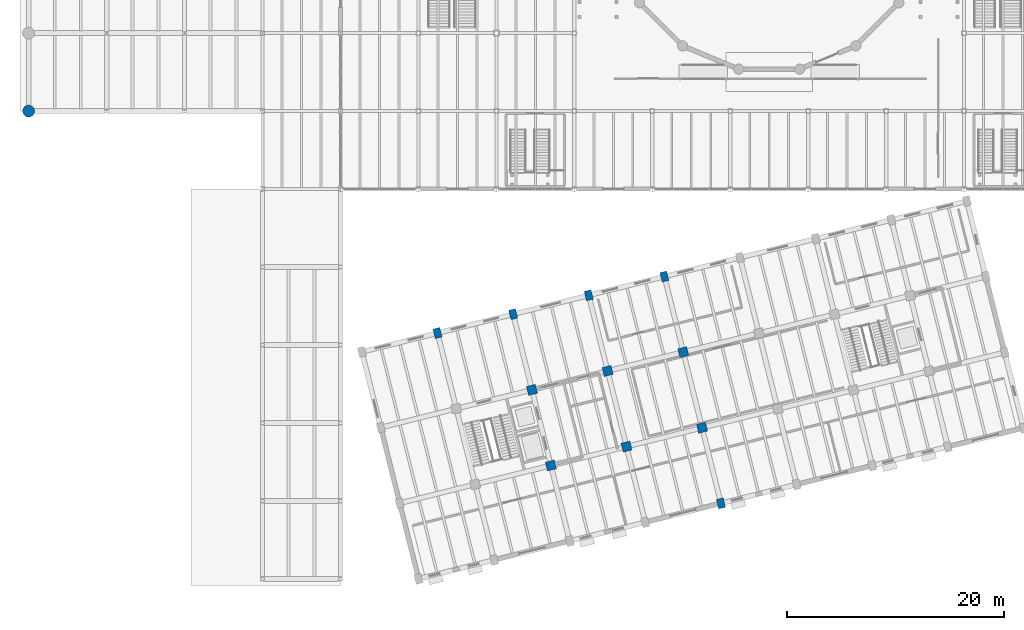
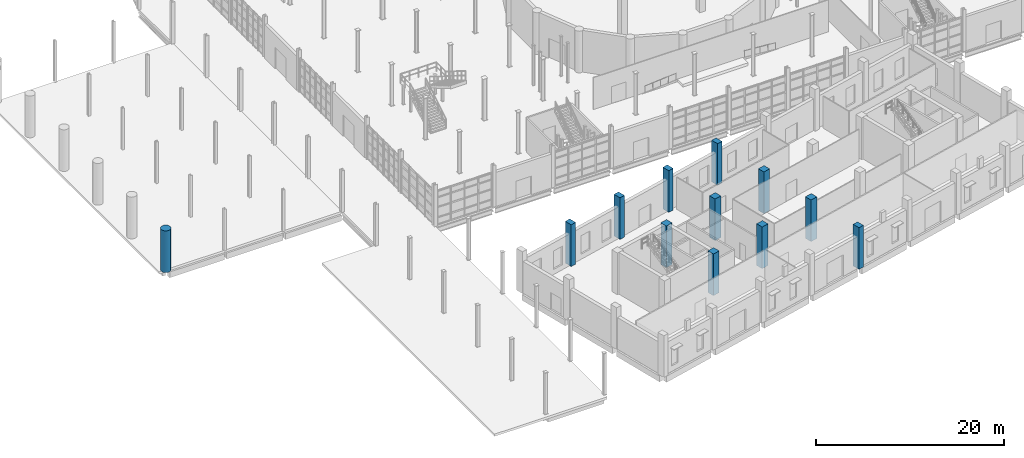
# One storey, part 2 of 79: 12 columns.
"""IFC4 building model written with IfcOpenShell, lengths in metres."""

from ifc_helpers import new_model, si_unit, direction, frame, origin, origin_2d, place, context, subcontext, project, spatial, rectangle, circle, extrude, material, material_profile, profile_set, type_object, element, save


model = new_model("IFC4")

# Units and contexts
model_context = context("Model", 3, precision=1e-05, world=origin(), true_north=direction((0.0, 1.0)))
body_context = subcontext(model_context, "Body", "Model", "MODEL_VIEW")
ifc_project = project(units=[si_unit("LENGTHUNIT", "METRE"), si_unit("AREAUNIT", "SQUARE_METRE"), si_unit("VOLUMEUNIT", "CUBIC_METRE"), si_unit("PLANEANGLEUNIT", "RADIAN"), si_unit("MASSUNIT", "GRAM", prefix="KILO")], contexts=[model_context])

# Site, building, storey
site_placement = place(None, origin())
site = spatial("IfcSite", under=ifc_project, at=site_placement, CompositionType="ELEMENT")
building_placement = place(site_placement, origin())
building = spatial("IfcBuilding", under=site, at=building_placement, Name="Qiaolan Assembly House", CompositionType="ELEMENT")
storey_placement = place(building_placement, origin())
storey = spatial("IfcBuildingStorey", under=building, at=storey_placement, Name="L00", CompositionType="ELEMENT", Elevation=0.0)

# Columns
ifc_material_1 = material(Name="Concrete C50/60", Category="concrete")
ifc_material_profile_1 = material_profile(ifc_material_1, rectangle(XDim=0.85009765625, YDim=0.85009765625, at=origin_2d()), Name="RC 850x850")
ifc_profile_set_1 = profile_set([ifc_material_profile_1], Name="Concrete C50/60")
column_type_1 = type_object("IfcColumnType", Name="COL-RC-850", PredefinedType="COLUMN", material=ifc_profile_set_1)
for number, where, z_axis, x_axis, name in (
    (1, (48.23046875, 10.4697265625, 0.0), (0.0, 0.0, 1.0), (0.970295726276, 0.2419218956, 0.0), "RC-04 splayed column SE L00"),
    (2, (46.488525390625, 17.4560546875, 0.0), (0.0, 0.0, 1.0), (0.970295726276, 0.2419218956, 0.0), "RC-04 splayed column SE L00"),
    (3, (55.216552734375, 12.211669921875, 0.0), (0.0, 0.0, 1.0), (0.970295726276, 0.2419218956, 0.0), "RC-04 splayed column SE L00"),
    (4, (53.474609375, 19.19775390625, 0.0), (0.0, 0.0, 1.0), (0.970295726276, 0.2419218956, 0.0), "RC-04 splayed column SE L00"),
    (5, (62.20263671875, 13.953369140625, 0.0), (0.0, 0.0, 1.0), (0.970295726276, 0.2419218956, 0.0), "RC-04 splayed column SE L00"),
    (6, (60.4609375, 20.939697265625, 0.0), (0.0, 0.0, 1.0), (0.970295726276, 0.2419218956, 0.0), "RC-04 splayed column SE L00"),
):
    element("IfcColumn", number, at=place(storey_placement, frame(where, z_axis=z_axis, x_axis=x_axis)), inside=storey, type_object=column_type_1, Name=name, PredefinedType="COLUMN", context=body_context, shape_type="SweptSolid", body=[
        extrude(rectangle(XDim=0.85009765625, YDim=0.85009765625, at=origin_2d()), origin(), (0.0, 0.0, 1.0), 5.39990234375),
    ])
ifc_material_profile_2 = material_profile(ifc_material_1, rectangle(XDim=0.64990234375, YDim=0.89990234375, at=origin_2d()), Name="RC 900x650")
ifc_profile_set_2 = profile_set([ifc_material_profile_2], Name="Concrete C50/60")
column_type_2 = type_object("IfcColumnType", Name="COL-RC-900x650", PredefinedType="COLUMN", material=ifc_profile_set_2)
for number, where, z_axis, x_axis, name in (
    (7, (37.760498046875, 22.7001953125, 0.0), (0.0, 0.0, 1.0), (0.970295726276, 0.2419218956, 0.0), "RC-12 splayed column SE L00"),
    (8, (44.746826171875, 24.442138671875, 0.0), (0.0, 0.0, 1.0), (0.970295726276, 0.2419218956, 0.0), "RC-12 splayed column SE L00"),
    (9, (51.73291015625, 26.183837890625, 0.0), (0.0, 0.0, 1.0), (0.970295726276, 0.2419218956, 0.0), "RC-12 splayed column SE L00"),
    (10, (63.944580078125, 6.96728515625, 0.0), (0.0, 0.0, 1.0), (0.970295726276, 0.2419218956, 0.0), "RC-12 splayed column SE L00"),
    (11, (58.718994140625, 27.92578125, 0.0), (0.0, 0.0, 1.0), (0.970295726276, 0.2419218956, 0.0), "RC-12 splayed column SE L00"),
):
    element("IfcColumn", number, at=place(storey_placement, frame(where, z_axis=z_axis, x_axis=x_axis)), inside=storey, type_object=column_type_2, Name=name, PredefinedType="COLUMN", context=body_context, shape_type="SweptSolid", body=[
        extrude(rectangle(XDim=0.64990234375, YDim=0.89990234375, at=origin_2d()), origin(), (0.0, 0.0, 1.0), 5.39990234375),
    ])
ifc_material_2 = material(Name="Precast concrete C50/60", Category="concrete")
ifc_material_profile_3 = material_profile(ifc_material_2, circle(Radius=0.550048828125, at=origin_2d()), Name="CIRC D1100")
ifc_profile_set_3 = profile_set([ifc_material_profile_3], Name="Precast concrete C50/60")
column_type_3 = type_object("IfcColumnType", Name="PIL-PORTICO-D1100", PredefinedType="PILASTER", material=ifc_profile_set_3)
column_placement = place(storey_placement, frame((0.0, 43.199951171875, 0.0), z_axis=(0.0, 0.0, 1.0), x_axis=(1.0, 0.0, 0.0)))
element("IfcColumn", 12, at=column_placement, inside=storey, type_object=column_type_3, Name="PL-01 portico colonnade column L00", PredefinedType="PILASTER", context=body_context, shape_type="SweptSolid", body=[
    extrude(circle(Radius=0.550048828125, at=origin_2d()), origin(), (0.0, 0.0, 1.0), 5.39990234375),
])

save(model, "model.ifc")
